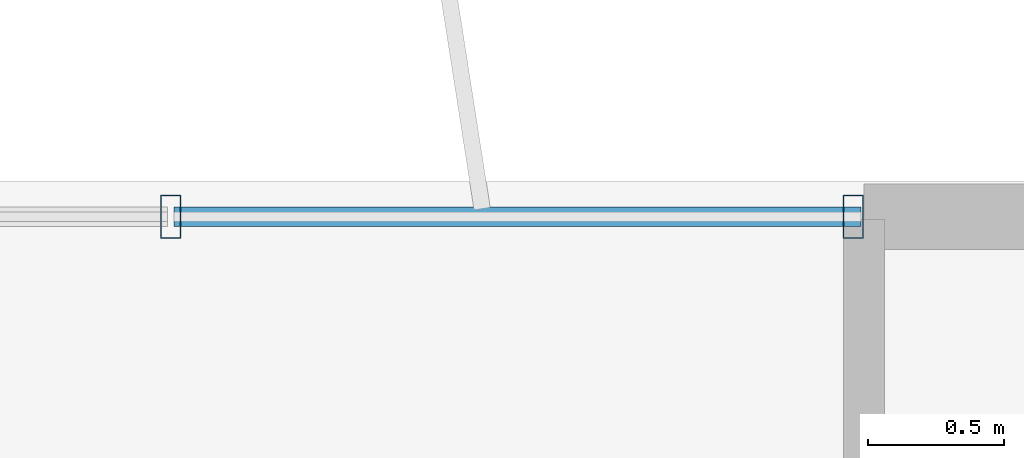
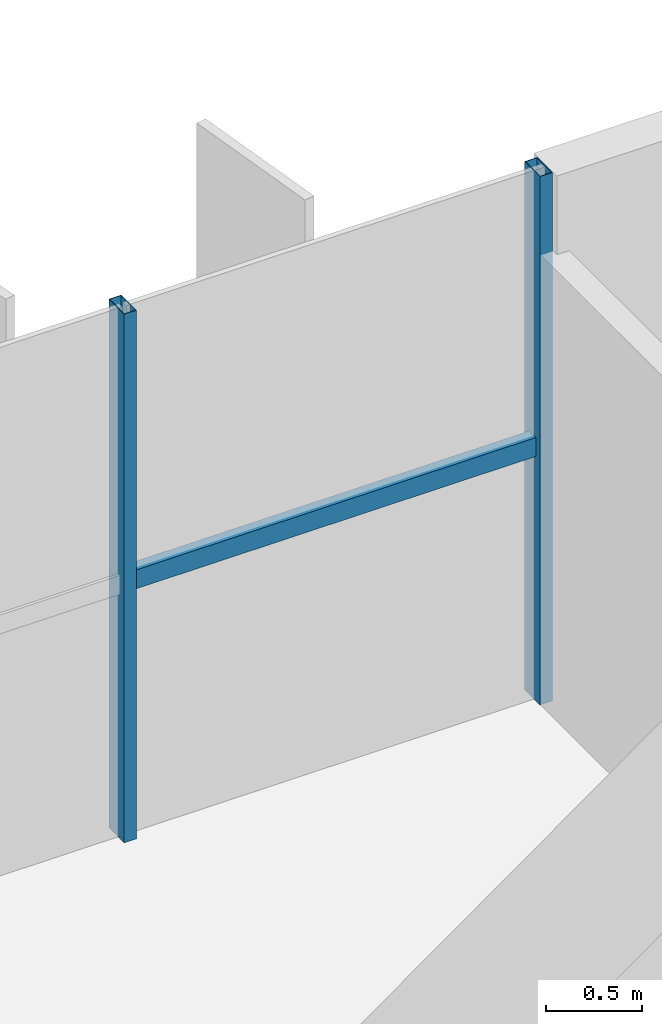
# One storey, part 14 of 23: 3 members, 1 element without a shape of its own.
"""IFC4 building model written with IfcOpenShell, lengths in metres."""

from ifc_helpers import new_model, si_unit, direction, frame, origin, origin_2d, place, context, subcontext, project, spatial, hollow_rectangle, extrude, source, transform, mapped, material, material_profile, profile_set, type_object, element, aggregate, save


model = new_model("IFC4")

# Units and contexts
model_context = context("Model", 3, precision=1e-05, world=origin(), true_north=direction((0.0, 1.0)))
body_context = subcontext(model_context, "Body", "Model", "MODEL_VIEW")
ifc_project = project(units=[si_unit("LENGTHUNIT", "METRE"), si_unit("AREAUNIT", "SQUARE_METRE"), si_unit("VOLUMEUNIT", "CUBIC_METRE"), si_unit("PLANEANGLEUNIT", "RADIAN"), si_unit("MASSUNIT", "GRAM", prefix="KILO")], contexts=[model_context])

# Site, building, storey
site_placement = place(None, origin())
site = spatial("IfcSite", under=ifc_project, at=site_placement, CompositionType="ELEMENT")
building_placement = place(site_placement, origin())
building = spatial("IfcBuilding", under=site, at=building_placement, Name="Trelvane Seafront Commons", CompositionType="ELEMENT")
storey_placement = place(building_placement, frame((0.0, 0.0, 226.5)))
storey = spatial("IfcBuildingStorey", under=building, at=storey_placement, Name="L59", CompositionType="ELEMENT", Elevation=226.5)

# Curtain wall, members
ifc_material = material(Name="Anodised pale-silver aluminium", Category="aluminium")
curtain_wall_type = type_object("IfcCurtainWallType", Name="ARCH-CW5-UPTOWER", PredefinedType="NOTDEFINED", material=ifc_material)
curtain_wall_placement = place(storey_placement, origin())
curtain_wall = element("IfcCurtainWall", 1, at=curtain_wall_placement, inside=storey, type_object=curtain_wall_type, Name="CW-L59-0102", PredefinedType="NOTDEFINED")
ifc_material_profile_1 = material_profile(ifc_material, hollow_rectangle(XDim=0.070068359375, YDim=0.1201171875, WallThickness=0.00390625, at=origin_2d()), Name="TRAN-70x120x4")
ifc_profile_set_1 = profile_set([ifc_material_profile_1], Name="Anodised pale-silver aluminium")
member_type_1 = type_object("IfcMemberType", Name="ARCH-CW-TRAN-120", PredefinedType="USERDEFINED", material=ifc_profile_set_1)
shared_shape_1 = source(origin(), body_context, "Body", "SweptSolid", [
    extrude(hollow_rectangle(XDim=0.070068359375, YDim=0.1201171875, WallThickness=0.00390625, at=origin_2d()), origin(), (0.0, 0.0, 1.0), 2.517333984375),
])
member_1_placement = place(storey_placement, frame((56.270751953125, 48.3701171875, 1.613037109375), z_axis=(1.0, 0.0, 0.0), x_axis=(0.0, 1.0, 0.0)))
member_1 = element("IfcMember", 2, at=member_1_placement, type_object=member_type_1, Name="CW-L59-0102-T16", ObjectType="TRANSOM", PredefinedType="USERDEFINED", context=body_context, shape_type="MappedRepresentation", body=[
    mapped(shared_shape_1, transform((0.0, 0.0, 0.0), x_axis=(1.0, 0.0, 0.0), y_axis=(0.0, 1.0, 0.0), z_axis=(0.0, 0.0, 1.0), scale=1.0)),
])
ifc_material_profile_2 = material_profile(ifc_material, hollow_rectangle(XDim=0.074951171875, YDim=0.159912109375, WallThickness=0.00390625, at=origin_2d()), Name="MULL-75x160x4")
ifc_profile_set_2 = profile_set([ifc_material_profile_2], Name="Anodised pale-silver aluminium")
member_type_2 = type_object("IfcMemberType", Name="ARCH-CW-MULL-160", PredefinedType="MULLION", material=ifc_profile_set_2)
shared_shape_2 = source(origin(), body_context, "Body", "SweptSolid", [
    extrude(hollow_rectangle(XDim=0.074951171875, YDim=0.159912109375, WallThickness=0.00390625, at=origin_2d()), origin(), (0.0, 0.0, 1.0), 3.360107421875),
])
member_2_placement = place(storey_placement, frame((56.2587890625, 48.3701171875, 0.0), z_axis=(0.0, 0.0, 1.0), x_axis=(1.0, 0.0, 0.0)))
member_2 = element("IfcMember", 3, at=member_2_placement, type_object=member_type_2, Name="CW-L59-0102-M16", PredefinedType="MULLION", context=body_context, shape_type="MappedRepresentation", body=[
    mapped(shared_shape_2, transform((0.0, 0.0, 0.0), x_axis=(1.0, 0.0, 0.0), y_axis=(0.0, 1.0, 0.0), z_axis=(0.0, 0.0, 1.0), scale=1.0)),
])
member_3_placement = place(storey_placement, frame((58.760009765625, 48.3701171875, 0.0), z_axis=(0.0, 0.0, 1.0), x_axis=(1.0, 0.0, 0.0)))
member_3 = element("IfcMember", 4, at=member_3_placement, type_object=member_type_2, Name="CW-L59-0102-M17", PredefinedType="MULLION", context=body_context, shape_type="MappedRepresentation", body=[
    mapped(shared_shape_2, transform((0.0, 0.0, 0.0), x_axis=(1.0, 0.0, 0.0), y_axis=(0.0, 1.0, 0.0), z_axis=(0.0, 0.0, 1.0), scale=1.0)),
])
aggregate(curtain_wall, [member_2, member_3, member_1])

save(model, "model.ifc")
